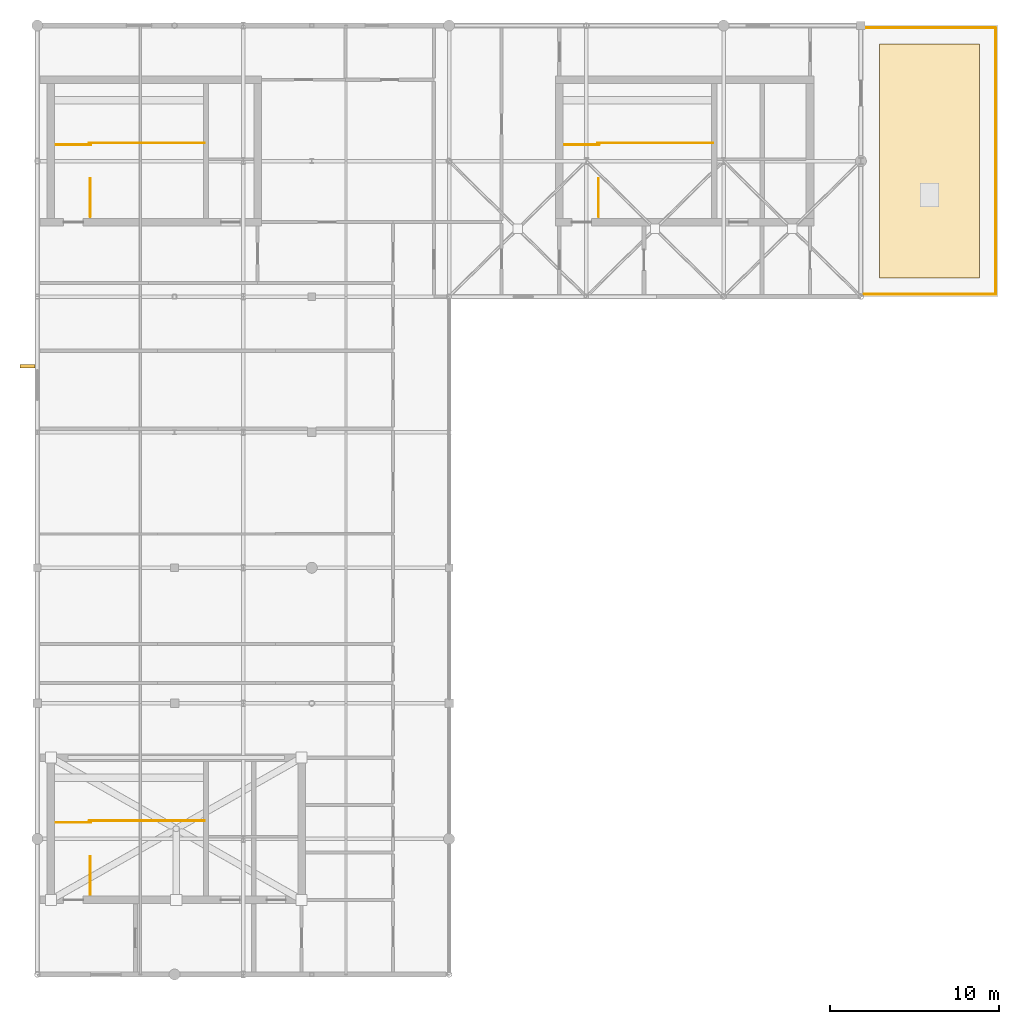
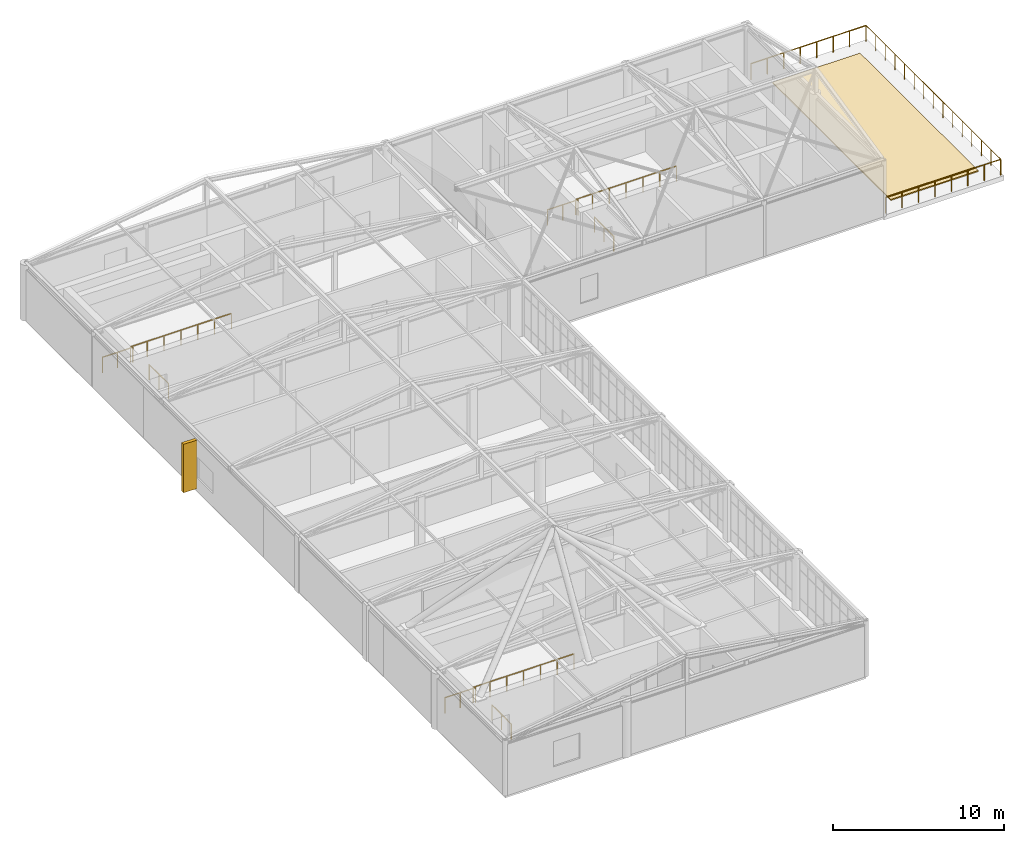
# One storey, part 21 of 21: 12 railings, 1 covering, 1 shading device.
"""IFC4 building model written with IfcOpenShell, lengths in metres."""

from ifc_helpers import new_model, si_unit, direction, frame, origin, origin_2d, place, context, subcontext, project, spatial, polyline, rectangle, circle, outline, extrude, material, layer, layer_set, material_profile, profile_set, type_object, element, save


model = new_model("IFC4")

# Units and contexts
model_context = context("Model", 3, precision=1e-05, world=origin(), true_north=direction((0.0, 1.0)))
body_context = subcontext(model_context, "Body", "Model", "MODEL_VIEW")
ifc_project = project(units=[si_unit("LENGTHUNIT", "METRE"), si_unit("AREAUNIT", "SQUARE_METRE"), si_unit("VOLUMEUNIT", "CUBIC_METRE"), si_unit("PLANEANGLEUNIT", "RADIAN"), si_unit("MASSUNIT", "GRAM", prefix="KILO")], contexts=[model_context])

# Site, building, storey
site_placement = place(None, origin())
site = spatial("IfcSite", under=ifc_project, at=site_placement, CompositionType="ELEMENT")
building_placement = place(site_placement, origin())
building = spatial("IfcBuilding", under=site, at=building_placement, Name="Tarnveldt Square Police Headquarters", CompositionType="ELEMENT")
storey_placement = place(building_placement, frame((0.0, 0.0, 33.300048828125)))
storey = spatial("IfcBuildingStorey", under=building, at=storey_placement, Name="L07", CompositionType="ELEMENT", Elevation=33.300048828125)

# Covering
ifc_material_1 = material(Name="Vegetated sedum and EPDM waterproofing roofing assembly", Category="concrete")
ifc_layer = layer(ifc_material_1, 0.080078125)
ifc_layer_set = layer_set([ifc_layer], Name="Vegetated sedum and EPDM waterproofing roofing assembly")
covering_type = type_object("IfcCoveringType", Name="COV-RFG-80", PredefinedType="ROOFING", material=ifc_layer_set)
covering_placement = place(storey_placement, origin())
element("IfcCovering", 1, at=covering_placement, inside=storey, type_object=covering_type, Name="Executive North Overlook Terrace Planted Roofing Assembly 6", PredefinedType="ROOFING", context=body_context, shape_type="SweptSolid", body=[
    extrude(outline(polyline([(71.800048828125, 97.10009765625), (71.800048828125, 110.89990234375), (65.89990234375, 110.89990234375), (65.89990234375, 97.10009765625), (71.800048828125, 97.10009765625)])), origin(), (0.0, 0.0, 1.0), 0.079833984375),
])

# Railings
ifc_material_2 = material(Name="Steel 350W", Category="steel")
railing_type_1 = type_object("IfcRailingType", Name="RL-BAL-1150", PredefinedType="BALUSTRADE", material=ifc_material_2)
railing_1_placement = place(storey_placement, frame((65.0, 96.139892578125, 0.0)))
element("IfcRailing", 2, at=railing_1_placement, inside=storey, type_object=railing_type_1, Name="Executive North Overlook Terrace Perimeter Guardrail S1", PredefinedType="BALUSTRADE", context=body_context, shape_type="SweptSolid", body=[
    extrude(circle(Radius=0.02392578125, at=origin_2d()), frame((0.0, 0.0, 1.1259765625), z_axis=(1.0, 0.0, 0.0), x_axis=(0.0, 1.0, 0.0)), (0.0, 0.0, 1.0), 7.760009765625),
    extrude(circle(Radius=0.02099609375, at=origin_2d()), origin(), (0.0, 0.0, 1.0), 1.101806640625),
    extrude(circle(Radius=0.02099609375, at=origin_2d()), frame((1.108642578125, 0.0, 0.0)), (0.0, 0.0, 1.0), 1.101806640625),
    extrude(circle(Radius=0.02099609375, at=origin_2d()), frame((2.217041015625, 0.0, 0.0)), (0.0, 0.0, 1.0), 1.101806640625),
    extrude(circle(Radius=0.02099609375, at=origin_2d()), frame((3.32568359375, 0.0, 0.0)), (0.0, 0.0, 1.0), 1.101806640625),
    extrude(circle(Radius=0.02099609375, at=origin_2d()), frame((4.434326171875, 0.0, 0.0)), (0.0, 0.0, 1.0), 1.101806640625),
    extrude(circle(Radius=0.02099609375, at=origin_2d()), frame((5.54296875, 0.0, 0.0)), (0.0, 0.0, 1.0), 1.101806640625),
    extrude(circle(Radius=0.02099609375, at=origin_2d()), frame((6.6513671875, 0.0, 0.0)), (0.0, 0.0, 1.0), 1.101806640625),
    extrude(circle(Radius=0.02099609375, at=origin_2d()), frame((7.760009765625, 0.0, 0.0)), (0.0, 0.0, 1.0), 1.101806640625),
])
railing_2_placement = place(storey_placement, frame((72.760009765625, 96.139892578125, 0.0)))
element("IfcRailing", 3, at=railing_2_placement, inside=storey, type_object=railing_type_1, Name="Executive North Overlook Terrace Perimeter Guardrail E1", PredefinedType="BALUSTRADE", context=body_context, shape_type="SweptSolid", body=[
    extrude(circle(Radius=0.02392578125, at=origin_2d()), frame((0.0, 0.0, 1.1259765625), z_axis=(0.0, 1.0, 0.0), x_axis=(-1.0, 0.0, 0.0)), (0.0, 0.0, 1.0), 15.72021484375),
    extrude(circle(Radius=0.02099609375, at=origin_2d()), origin(), (0.0, 0.0, 1.0), 1.101806640625),
    extrude(circle(Radius=0.02099609375, at=origin_2d()), frame((0.0, 1.122802734375, 0.0)), (0.0, 0.0, 1.0), 1.101806640625),
    extrude(circle(Radius=0.02099609375, at=origin_2d()), frame((0.0, 2.245849609375, 0.0)), (0.0, 0.0, 1.0), 1.101806640625),
    extrude(circle(Radius=0.02099609375, at=origin_2d()), frame((0.0, 3.36865234375, 0.0)), (0.0, 0.0, 1.0), 1.101806640625),
    extrude(circle(Radius=0.02099609375, at=origin_2d()), frame((0.0, 4.491455078125, 0.0)), (0.0, 0.0, 1.0), 1.101806640625),
    extrude(circle(Radius=0.02099609375, at=origin_2d()), frame((0.0, 5.6142578125, 0.0)), (0.0, 0.0, 1.0), 1.101806640625),
    extrude(circle(Radius=0.02099609375, at=origin_2d()), frame((0.0, 6.7373046875, 0.0)), (0.0, 0.0, 1.0), 1.101806640625),
    extrude(circle(Radius=0.02099609375, at=origin_2d()), frame((0.0, 7.860107421875, 0.0)), (0.0, 0.0, 1.0), 1.101806640625),
    extrude(circle(Radius=0.02099609375, at=origin_2d()), frame((0.0, 8.98291015625, 0.0)), (0.0, 0.0, 1.0), 1.101806640625),
    extrude(circle(Radius=0.02099609375, at=origin_2d()), frame((0.0, 10.10595703125, 0.0)), (0.0, 0.0, 1.0), 1.101806640625),
    extrude(circle(Radius=0.02099609375, at=origin_2d()), frame((0.0, 11.228759765625, 0.0)), (0.0, 0.0, 1.0), 1.101806640625),
    extrude(circle(Radius=0.02099609375, at=origin_2d()), frame((0.0, 12.3515625, 0.0)), (0.0, 0.0, 1.0), 1.101806640625),
    extrude(circle(Radius=0.02099609375, at=origin_2d()), frame((0.0, 13.474365234375, 0.0)), (0.0, 0.0, 1.0), 1.101806640625),
    extrude(circle(Radius=0.02099609375, at=origin_2d()), frame((0.0, 14.597412109375, 0.0)), (0.0, 0.0, 1.0), 1.101806640625),
    extrude(circle(Radius=0.02099609375, at=origin_2d()), frame((0.0, 15.72021484375, 0.0)), (0.0, 0.0, 1.0), 1.101806640625),
])
railing_3_placement = place(storey_placement, frame((72.760009765625, 111.860107421875, 0.0)))
element("IfcRailing", 4, at=railing_3_placement, inside=storey, type_object=railing_type_1, Name="Executive North Overlook Terrace Perimeter Guardrail N1", PredefinedType="BALUSTRADE", context=body_context, shape_type="SweptSolid", body=[
    extrude(circle(Radius=0.02392578125, at=origin_2d()), frame((0.0, 0.0, 1.1259765625), z_axis=(-1.0, 0.0, 0.0), x_axis=(0.0, -1.0, 0.0)), (0.0, 0.0, 1.0), 7.760009765625),
    extrude(circle(Radius=0.02099609375, at=origin_2d()), origin(), (0.0, 0.0, 1.0), 1.101806640625),
    extrude(circle(Radius=0.02099609375, at=origin_2d()), frame((-1.108642578125, 0.0, 0.0)), (0.0, 0.0, 1.0), 1.101806640625),
    extrude(circle(Radius=0.02099609375, at=origin_2d()), frame((-2.217041015625, 0.0, 0.0)), (0.0, 0.0, 1.0), 1.101806640625),
    extrude(circle(Radius=0.02099609375, at=origin_2d()), frame((-3.32568359375, 0.0, 0.0)), (0.0, 0.0, 1.0), 1.101806640625),
    extrude(circle(Radius=0.02099609375, at=origin_2d()), frame((-4.434326171875, 0.0, 0.0)), (0.0, 0.0, 1.0), 1.101806640625),
    extrude(circle(Radius=0.02099609375, at=origin_2d()), frame((-5.54296875, 0.0, 0.0)), (0.0, 0.0, 1.0), 1.101806640625),
    extrude(circle(Radius=0.02099609375, at=origin_2d()), frame((-6.6513671875, 0.0, 0.0)), (0.0, 0.0, 1.0), 1.101806640625),
    extrude(circle(Radius=0.02099609375, at=origin_2d()), frame((-7.760009765625, 0.0, 0.0)), (0.0, 0.0, 1.0), 1.101806640625),
])
railing_type_2 = type_object("IfcRailingType", Name="RL-GR-1100", PredefinedType="GUARDRAIL", material=ifc_material_2)
railing_4_placement = place(storey_placement, frame((19.320068359375, 60.719970703125, 0.0)))
element("IfcRailing", 5, at=railing_4_placement, inside=storey, type_object=railing_type_2, Name="L07 ST1 top well guard 1", PredefinedType="GUARDRAIL", context=body_context, shape_type="SweptSolid", body=[
    extrude(circle(Radius=0.02392578125, at=origin_2d()), frame((0.0, 0.0, 1.076171875), z_axis=(0.0, 1.0, 0.0), x_axis=(-1.0, 0.0, 0.0)), (0.0, 0.0, 1.0), 2.25),
    extrude(circle(Radius=0.02099609375, at=origin_2d()), origin(), (0.0, 0.0, 1.0), 1.052001953125),
    extrude(circle(Radius=0.02099609375, at=origin_2d()), frame((0.0, 1.125, 0.0)), (0.0, 0.0, 1.0), 1.052001953125),
    extrude(circle(Radius=0.02099609375, at=origin_2d()), frame((0.0, 2.25, 0.0)), (0.0, 0.0, 1.0), 1.052001953125),
])
railing_5_placement = place(storey_placement, frame((19.27001953125, 65.070068359375, 0.0)))
element("IfcRailing", 6, at=railing_5_placement, inside=storey, type_object=railing_type_2, Name="L07 ST1 top well guard 2", PredefinedType="GUARDRAIL", context=body_context, shape_type="SweptSolid", body=[
    extrude(circle(Radius=0.02392578125, at=origin_2d()), frame((0.0, 0.0, 1.076171875), z_axis=(1.0, 0.0, 0.0), x_axis=(0.0, 1.0, 0.0)), (0.0, 0.0, 1.0), 6.800048828125),
    extrude(circle(Radius=0.02099609375, at=origin_2d()), origin(), (0.0, 0.0, 1.0), 1.052001953125),
    extrude(circle(Radius=0.02099609375, at=origin_2d()), frame((1.13330078125, 0.0, 0.0)), (0.0, 0.0, 1.0), 1.052001953125),
    extrude(circle(Radius=0.02099609375, at=origin_2d()), frame((2.2666015625, 0.0, 0.0)), (0.0, 0.0, 1.0), 1.052001953125),
    extrude(circle(Radius=0.02099609375, at=origin_2d()), frame((3.39990234375, 0.0, 0.0)), (0.0, 0.0, 1.0), 1.052001953125),
    extrude(circle(Radius=0.02099609375, at=origin_2d()), frame((4.533447265625, 0.0, 0.0)), (0.0, 0.0, 1.0), 1.052001953125),
    extrude(circle(Radius=0.02099609375, at=origin_2d()), frame((5.666748046875, 0.0, 0.0)), (0.0, 0.0, 1.0), 1.052001953125),
    extrude(circle(Radius=0.02099609375, at=origin_2d()), frame((6.800048828125, 0.0, 0.0)), (0.0, 0.0, 1.0), 1.052001953125),
])
railing_6_placement = place(storey_placement, frame((17.320068359375, 64.969970703125, 0.0)))
element("IfcRailing", 7, at=railing_6_placement, inside=storey, type_object=railing_type_2, Name="L07 ST1 top well guard 3", PredefinedType="GUARDRAIL", context=body_context, shape_type="SweptSolid", body=[
    extrude(circle(Radius=0.02392578125, at=origin_2d()), frame((0.0, 0.0, 1.076171875), z_axis=(1.0, 0.0, 0.0), x_axis=(0.0, 1.0, 0.0)), (0.0, 0.0, 1.0), 2.050048828125),
    extrude(circle(Radius=0.02099609375, at=origin_2d()), origin(), (0.0, 0.0, 1.0), 1.052001953125),
    extrude(circle(Radius=0.02099609375, at=origin_2d()), frame((1.02490234375, 0.0, 0.0)), (0.0, 0.0, 1.0), 1.052001953125),
    extrude(circle(Radius=0.02099609375, at=origin_2d()), frame((2.050048828125, 0.0, 0.0)), (0.0, 0.0, 1.0), 1.052001953125),
])
railing_7_placement = place(storey_placement, frame((19.320068359375, 100.719970703125, 0.0)))
element("IfcRailing", 8, at=railing_7_placement, inside=storey, type_object=railing_type_2, Name="L07 ST2 top well guard 1", PredefinedType="GUARDRAIL", context=body_context, shape_type="SweptSolid", body=[
    extrude(circle(Radius=0.02392578125, at=origin_2d()), frame((0.0, 0.0, 1.076171875), z_axis=(0.0, 1.0, 0.0), x_axis=(-1.0, 0.0, 0.0)), (0.0, 0.0, 1.0), 2.25),
    extrude(circle(Radius=0.02099609375, at=origin_2d()), origin(), (0.0, 0.0, 1.0), 1.052001953125),
    extrude(circle(Radius=0.02099609375, at=origin_2d()), frame((0.0, 1.125, 0.0)), (0.0, 0.0, 1.0), 1.052001953125),
    extrude(circle(Radius=0.02099609375, at=origin_2d()), frame((0.0, 2.25, 0.0)), (0.0, 0.0, 1.0), 1.052001953125),
])
railing_8_placement = place(storey_placement, frame((19.27001953125, 105.070068359375, 0.0)))
element("IfcRailing", 9, at=railing_8_placement, inside=storey, type_object=railing_type_2, Name="L07 ST2 top well guard 2", PredefinedType="GUARDRAIL", context=body_context, shape_type="SweptSolid", body=[
    extrude(circle(Radius=0.02392578125, at=origin_2d()), frame((0.0, 0.0, 1.076171875), z_axis=(1.0, 0.0, 0.0), x_axis=(0.0, 1.0, 0.0)), (0.0, 0.0, 1.0), 6.800048828125),
    extrude(circle(Radius=0.02099609375, at=origin_2d()), origin(), (0.0, 0.0, 1.0), 1.052001953125),
    extrude(circle(Radius=0.02099609375, at=origin_2d()), frame((1.13330078125, 0.0, 0.0)), (0.0, 0.0, 1.0), 1.052001953125),
    extrude(circle(Radius=0.02099609375, at=origin_2d()), frame((2.2666015625, 0.0, 0.0)), (0.0, 0.0, 1.0), 1.052001953125),
    extrude(circle(Radius=0.02099609375, at=origin_2d()), frame((3.39990234375, 0.0, 0.0)), (0.0, 0.0, 1.0), 1.052001953125),
    extrude(circle(Radius=0.02099609375, at=origin_2d()), frame((4.533447265625, 0.0, 0.0)), (0.0, 0.0, 1.0), 1.052001953125),
    extrude(circle(Radius=0.02099609375, at=origin_2d()), frame((5.666748046875, 0.0, 0.0)), (0.0, 0.0, 1.0), 1.052001953125),
    extrude(circle(Radius=0.02099609375, at=origin_2d()), frame((6.800048828125, 0.0, 0.0)), (0.0, 0.0, 1.0), 1.052001953125),
])
railing_9_placement = place(storey_placement, frame((17.320068359375, 104.969970703125, 0.0)))
element("IfcRailing", 10, at=railing_9_placement, inside=storey, type_object=railing_type_2, Name="L07 ST2 top well guard 3", PredefinedType="GUARDRAIL", context=body_context, shape_type="SweptSolid", body=[
    extrude(circle(Radius=0.02392578125, at=origin_2d()), frame((0.0, 0.0, 1.076171875), z_axis=(1.0, 0.0, 0.0), x_axis=(0.0, 1.0, 0.0)), (0.0, 0.0, 1.0), 2.050048828125),
    extrude(circle(Radius=0.02099609375, at=origin_2d()), origin(), (0.0, 0.0, 1.0), 1.052001953125),
    extrude(circle(Radius=0.02099609375, at=origin_2d()), frame((1.02490234375, 0.0, 0.0)), (0.0, 0.0, 1.0), 1.052001953125),
    extrude(circle(Radius=0.02099609375, at=origin_2d()), frame((2.050048828125, 0.0, 0.0)), (0.0, 0.0, 1.0), 1.052001953125),
])
railing_10_placement = place(storey_placement, frame((49.320068359375, 100.719970703125, 0.0)))
element("IfcRailing", 11, at=railing_10_placement, inside=storey, type_object=railing_type_2, Name="L07 ST3 top well guard 1", PredefinedType="GUARDRAIL", context=body_context, shape_type="SweptSolid", body=[
    extrude(circle(Radius=0.02392578125, at=origin_2d()), frame((0.0, 0.0, 1.076171875), z_axis=(0.0, 1.0, 0.0), x_axis=(-1.0, 0.0, 0.0)), (0.0, 0.0, 1.0), 2.25),
    extrude(circle(Radius=0.02099609375, at=origin_2d()), origin(), (0.0, 0.0, 1.0), 1.052001953125),
    extrude(circle(Radius=0.02099609375, at=origin_2d()), frame((0.0, 1.125, 0.0)), (0.0, 0.0, 1.0), 1.052001953125),
    extrude(circle(Radius=0.02099609375, at=origin_2d()), frame((0.0, 2.25, 0.0)), (0.0, 0.0, 1.0), 1.052001953125),
])
railing_11_placement = place(storey_placement, frame((49.27001953125, 105.070068359375, 0.0)))
element("IfcRailing", 12, at=railing_11_placement, inside=storey, type_object=railing_type_2, Name="L07 ST3 top well guard 2", PredefinedType="GUARDRAIL", context=body_context, shape_type="SweptSolid", body=[
    extrude(circle(Radius=0.02392578125, at=origin_2d()), frame((0.0, 0.0, 1.076171875), z_axis=(1.0, 0.0, 0.0), x_axis=(0.0, 1.0, 0.0)), (0.0, 0.0, 1.0), 6.800048828125),
    extrude(circle(Radius=0.02099609375, at=origin_2d()), origin(), (0.0, 0.0, 1.0), 1.052001953125),
    extrude(circle(Radius=0.02099609375, at=origin_2d()), frame((1.13330078125, 0.0, 0.0)), (0.0, 0.0, 1.0), 1.052001953125),
    extrude(circle(Radius=0.02099609375, at=origin_2d()), frame((2.2666015625, 0.0, 0.0)), (0.0, 0.0, 1.0), 1.052001953125),
    extrude(circle(Radius=0.02099609375, at=origin_2d()), frame((3.39990234375, 0.0, 0.0)), (0.0, 0.0, 1.0), 1.052001953125),
    extrude(circle(Radius=0.02099609375, at=origin_2d()), frame((4.533447265625, 0.0, 0.0)), (0.0, 0.0, 1.0), 1.052001953125),
    extrude(circle(Radius=0.02099609375, at=origin_2d()), frame((5.666748046875, 0.0, 0.0)), (0.0, 0.0, 1.0), 1.052001953125),
    extrude(circle(Radius=0.02099609375, at=origin_2d()), frame((6.800048828125, 0.0, 0.0)), (0.0, 0.0, 1.0), 1.052001953125),
])
railing_12_placement = place(storey_placement, frame((47.320068359375, 104.969970703125, 0.0)))
element("IfcRailing", 13, at=railing_12_placement, inside=storey, type_object=railing_type_2, Name="L07 ST3 top well guard 3", PredefinedType="GUARDRAIL", context=body_context, shape_type="SweptSolid", body=[
    extrude(circle(Radius=0.02392578125, at=origin_2d()), frame((0.0, 0.0, 1.076171875), z_axis=(1.0, 0.0, 0.0), x_axis=(0.0, 1.0, 0.0)), (0.0, 0.0, 1.0), 2.050048828125),
    extrude(circle(Radius=0.02099609375, at=origin_2d()), origin(), (0.0, 0.0, 1.0), 1.052001953125),
    extrude(circle(Radius=0.02099609375, at=origin_2d()), frame((1.02490234375, 0.0, 0.0)), (0.0, 0.0, 1.0), 1.052001953125),
    extrude(circle(Radius=0.02099609375, at=origin_2d()), frame((2.050048828125, 0.0, 0.0)), (0.0, 0.0, 1.0), 1.052001953125),
])

# Shading device
ifc_material_3 = material(Name="Precast concrete 35 MPa", Category="concrete")
ifc_material_profile = material_profile(ifc_material_3, rectangle(XDim=0.219970703125, YDim=0.89990234375, at=origin_2d()), Name="PC-FIN220x900")
ifc_profile_set = profile_set([ifc_material_profile], Name="Precast concrete 35 MPa")
shading_device_type = type_object("IfcShadingDeviceType", Name="SHD-FIN-900", PredefinedType="USERDEFINED", material=ifc_profile_set)
shading_device_placement = place(storey_placement, frame((15.6298828125, 91.89990234375, 0.14990234375), z_axis=(0.0, 0.0, 1.0), x_axis=(0.0, -1.0, 0.0)))
element("IfcShadingDevice", 14, at=shading_device_placement, inside=storey, type_object=shading_device_type, Name="L07 Precast Deep-Reveal Brutalist Fin 054", ObjectType="SOLAR SHADING FIN", PredefinedType="USERDEFINED", context=body_context, shape_type="SweptSolid", body=[
    extrude(rectangle(XDim=0.219970703125, YDim=0.89990234375, at=origin_2d()), origin(), (0.0, 0.0, 1.0), 3.455078125),
])

save(model, "model.ifc")
